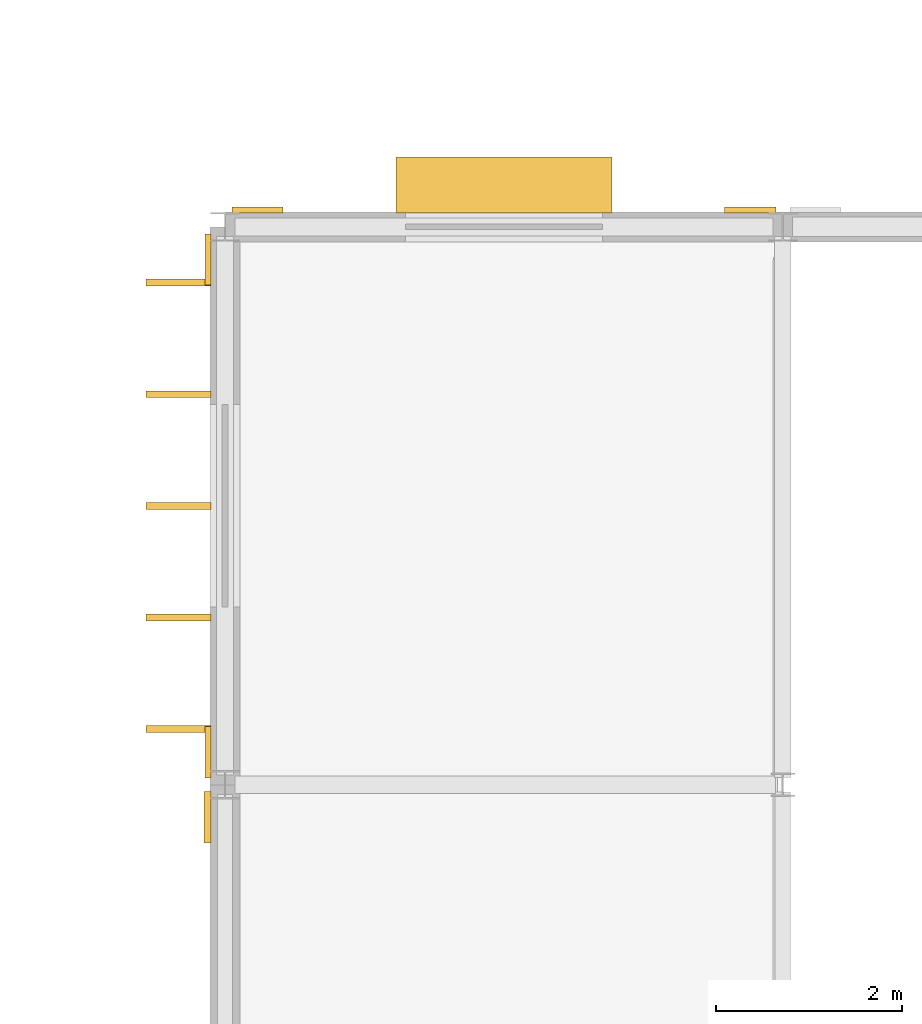
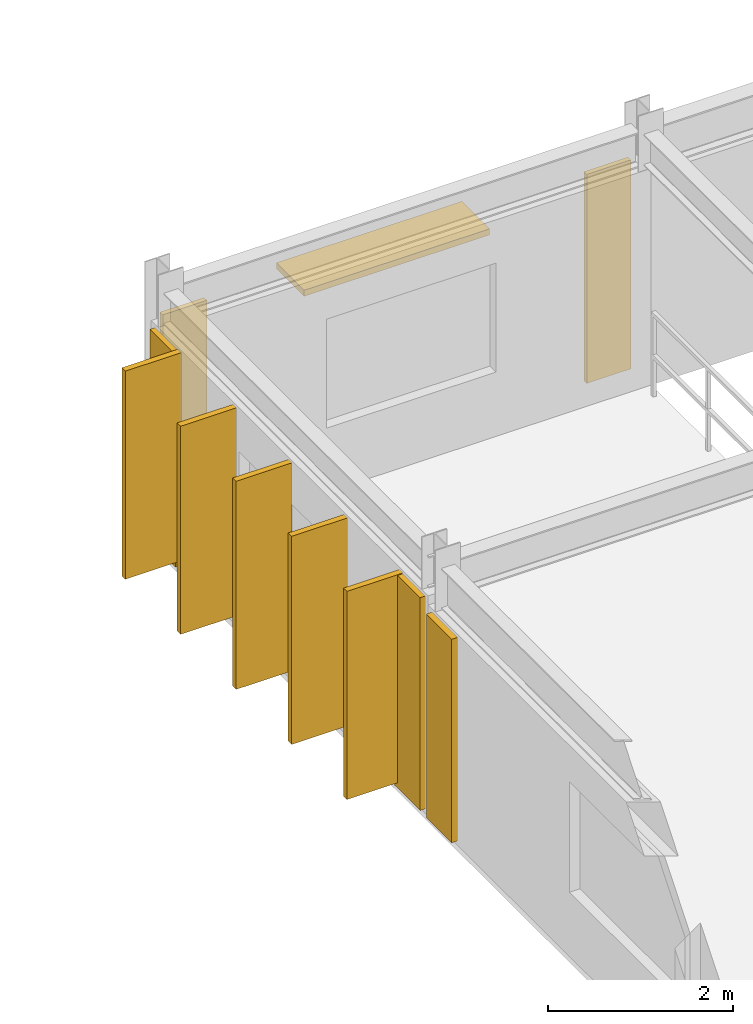
# One storey, part 78 of 88: 6 shading devices, 5 coverings.
"""IFC4 building model written with IfcOpenShell, lengths in metres."""

from ifc_helpers import new_model, si_unit, direction, frame, origin, origin_2d, place, context, subcontext, project, spatial, rectangle, extrude, material, layer, layer_set, type_object, element, save


model = new_model("IFC4")

# Units and contexts
model_context = context("Model", 3, precision=1e-05, world=origin(), true_north=direction((0.0, 1.0)))
body_context = subcontext(model_context, "Body", "Model", "MODEL_VIEW")
ifc_project = project(units=[si_unit("LENGTHUNIT", "METRE"), si_unit("AREAUNIT", "SQUARE_METRE"), si_unit("VOLUMEUNIT", "CUBIC_METRE"), si_unit("PLANEANGLEUNIT", "RADIAN"), si_unit("MASSUNIT", "GRAM", prefix="KILO"), si_unit("THERMODYNAMICTEMPERATUREUNIT", "KELVIN")], contexts=[model_context])

# Site, building, storey
site_placement = place(None, origin())
site = spatial("IfcSite", under=ifc_project, at=site_placement, CompositionType="ELEMENT")
building_placement = place(site_placement, origin())
building = spatial("IfcBuilding", under=site, at=building_placement, Name="Thalorik Housing Commons", CompositionType="ELEMENT")
storey_placement = place(building_placement, frame((0.0, 0.0, 4.5)))
storey = spatial("IfcBuildingStorey", under=building, at=storey_placement, Name="L01", CompositionType="ELEMENT", Elevation=4.5)

# Coverings
ifc_material_1 = material(Name="Cobalt blue glazed ceramic facade tile panel", Category="masonry")
ifc_layer_1 = layer(ifc_material_1, 0.06005859375, Name="Cobalt blue glazed ceramic facade tile panel", Category="masonry")
ifc_layer_set_1 = layer_set([ifc_layer_1], Name="Cobalt blue glazed ceramic facade tile panel")
covering_type_1 = type_object("IfcCoveringType", Name="ARC-CLD-BLU-60", PredefinedType="CLADDING", material=ifc_layer_set_1)
for number, where, z_axis, x_axis, name in (
    (1, (71.64990234375, 86.58203125, 0.0498046875), (0.0, 0.0, 1.0), (-1.0, 0.0, 0.0), "L01 Architectural Facade Cladding 5183"),
    (2, (66.35009765625, 86.58203125, 0.0498046875), (0.0, 0.0, 1.0), (-1.0, 0.0, 0.0), "L01 Architectural Facade Cladding 5184"),
):
    element("IfcCovering", number, at=place(storey_placement, frame(where, z_axis=z_axis, x_axis=x_axis)), inside=storey, type_object=covering_type_1, Name=name, PredefinedType="CLADDING", context=body_context, shape_type="SweptSolid", body=[
        extrude(rectangle(XDim=0.550048828125, YDim=0.06005859375, at=origin_2d()), origin(), (0.0, 0.0, 1.0), 2.761962890625),
    ])
ifc_material_2 = material(Name="Precast concrete C40/50", Category="concrete")
ifc_layer_2 = layer(ifc_material_2, 0.074951171875, Name="Precast concrete C40/50", Category="concrete")
ifc_layer_set_2 = layer_set([ifc_layer_2], Name="Precast concrete C40/50")
covering_type_2 = type_object("IfcCoveringType", Name="ARC-CLD-PIER-75", PredefinedType="CLADDING", material=ifc_layer_set_2)
covering_placement = place(storey_placement, frame((65.810546875, 80.050048828125, 0.050048828125), z_axis=(0.0, 0.0, 1.0), x_axis=(0.0, -1.0, 0.0)))
element("IfcCovering", 3, at=covering_placement, inside=storey, type_object=covering_type_2, Name="L01 Architectural Facade Cladding 5187", PredefinedType="CLADDING", context=body_context, shape_type="SweptSolid", body=[
    extrude(rectangle(XDim=0.550048828125, YDim=0.074951171875, at=origin_2d()), origin(), (0.0, 0.0, 1.0), 2.68994140625),
])
ifc_material_3 = material(Name="Mineral ochre architectural terracotta panel", Category="masonry")
ifc_layer_3 = layer(ifc_material_3, 0.06494140625, Name="Mineral ochre architectural terracotta panel", Category="masonry")
ifc_layer_set_3 = layer_set([ifc_layer_3], Name="Mineral ochre architectural terracotta panel")
covering_type_3 = type_object("IfcCoveringType", Name="ARC-CLD-YEL-65", PredefinedType="CLADDING", material=ifc_layer_set_3)
for number, where, z_axis, x_axis, name in (
    (4, (65.8154296875, 86.050048828125, 0.050048828125), (0.0, 0.0, 1.0), (0.0, -1.0, 0.0), "L01 Architectural Facade Cladding 5185"),
    (5, (65.8154296875, 80.75, 0.050048828125), (0.0, 0.0, 1.0), (0.0, -1.0, 0.0), "L01 Architectural Facade Cladding 5186"),
):
    element("IfcCovering", number, at=place(storey_placement, frame(where, z_axis=z_axis, x_axis=x_axis)), inside=storey, type_object=covering_type_3, Name=name, PredefinedType="CLADDING", context=body_context, shape_type="SweptSolid", body=[
        extrude(rectangle(XDim=0.550048828125, YDim=0.06494140625, at=origin_2d()), origin(), (0.0, 0.0, 1.0), 2.81201171875),
    ])

# Shading devices
ifc_material_4 = material(Name="Cobalt blue anodised aluminium", Category="aluminium")
shading_device_type_1 = type_object("IfcShadingDeviceType", Name="ARC-FIN-BLU-700", PredefinedType="USERDEFINED", material=ifc_material_4)
for number, where, z_axis, x_axis, name in (
    (6, (65.5, 85.800048828125, 0.1201171875), (0.0, 0.0, 1.0), (0.0, -1.0, 0.0), "L01 Vertical Precast Solar Fin 70"),
    (7, (65.5, 84.60009765625, 0.1201171875), (0.0, 0.0, 1.0), (0.0, -1.0, 0.0), "L01 Vertical Precast Solar Fin 71"),
    (8, (65.5, 83.39990234375, 0.1201171875), (0.0, 0.0, 1.0), (0.0, -1.0, 0.0), "L01 Vertical Precast Solar Fin 72"),
    (9, (65.5, 82.199951171875, 0.1201171875), (0.0, 0.0, 1.0), (0.0, -1.0, 0.0), "L01 Vertical Precast Solar Fin 73"),
    (10, (65.5, 81.0, 0.1201171875), (0.0, 0.0, 1.0), (0.0, -1.0, 0.0), "L01 Vertical Precast Solar Fin 74"),
):
    element("IfcShadingDevice", number, at=place(storey_placement, frame(where, z_axis=z_axis, x_axis=x_axis)), inside=storey, type_object=shading_device_type_1, Name=name, ObjectType="FIN", PredefinedType="USERDEFINED", context=body_context, shape_type="SweptSolid", body=[
        extrude(rectangle(XDim=0.074951171875, YDim=0.699951171875, at=origin_2d()), origin(), (0.0, 0.0, 1.0), 2.75),
    ])
ifc_material_5 = material(Name="Anodised aluminium sun-louvre blade", Category="aluminium")
shading_device_type_2 = type_object("IfcShadingDeviceType", Name="ARC-LVR-ALU-600", PredefinedType="JALOUSIE", material=ifc_material_5)
shading_device_placement = place(storey_placement, frame((69.0, 86.85009765625, 2.43994140625), z_axis=(0.0, 0.0, 1.0), x_axis=(-1.0, 0.0, 0.0)))
element("IfcShadingDevice", 11, at=shading_device_placement, inside=storey, type_object=shading_device_type_2, Name="L01 Horizontal Sun-Louvre 69", PredefinedType="JALOUSIE", context=body_context, shape_type="SweptSolid", body=[
    extrude(rectangle(XDim=2.320068359375, YDim=0.60009765625, at=origin_2d()), origin(), (0.0, 0.0, 1.0), 0.080078125),
])

save(model, "model.ifc")
